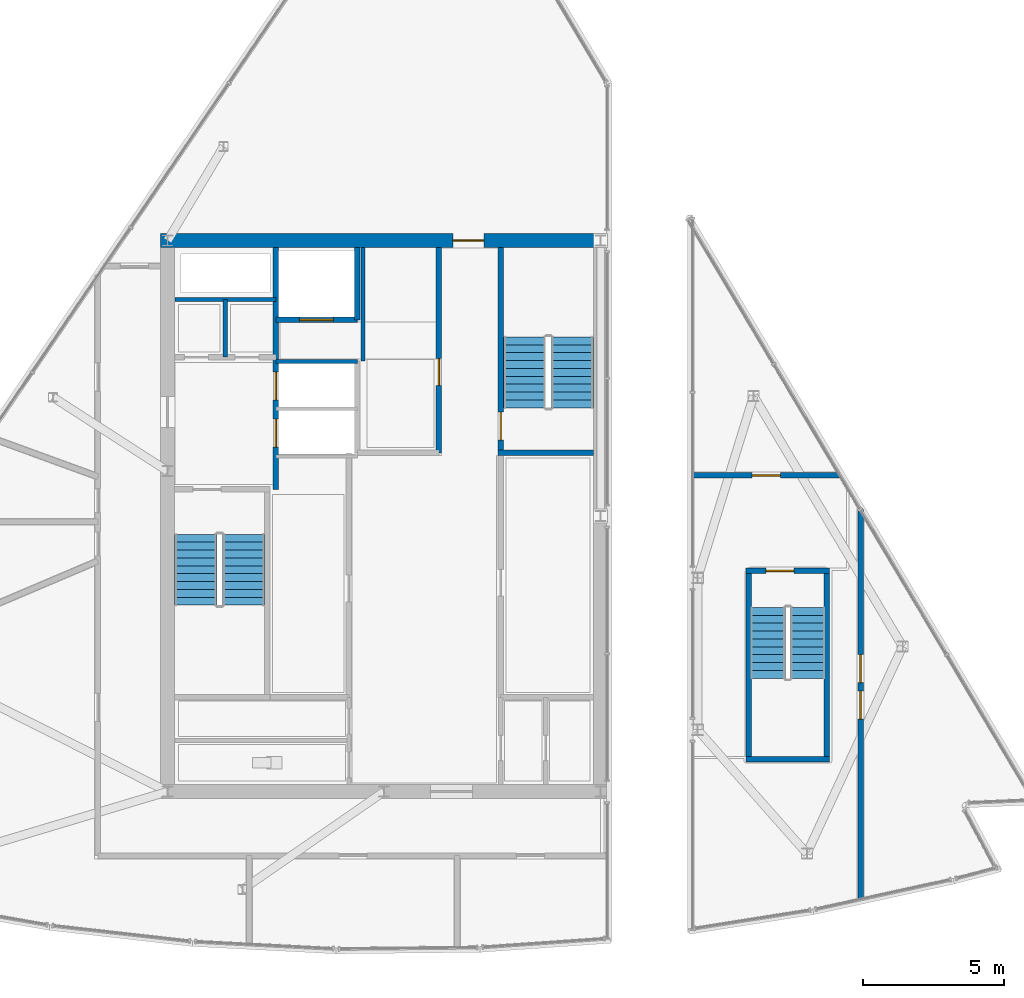
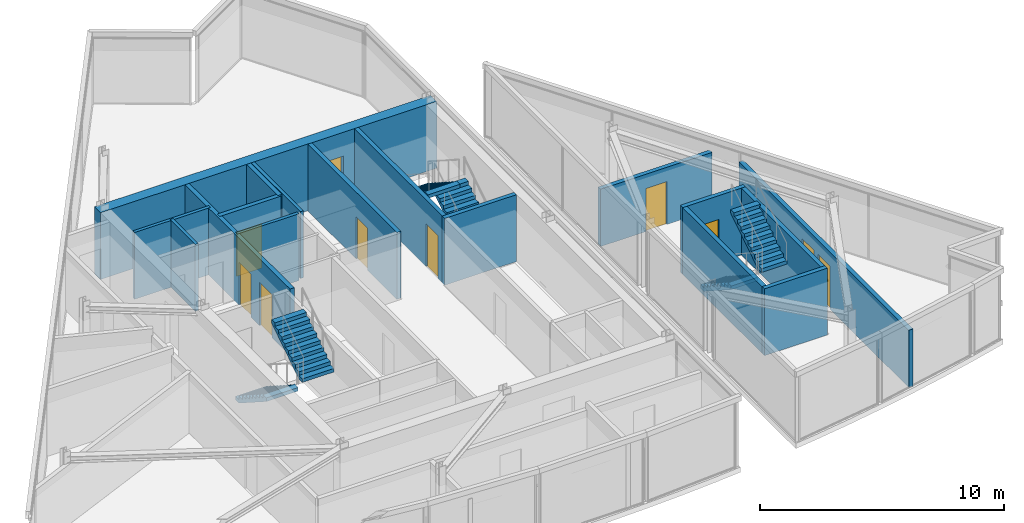
# One storey, part 10 of 15: 17 walls, 10 doors, 6 stair flights, 10 openings, 3 elements without a shape of their own.
"""IFC4 building model written with IfcOpenShell, lengths in metres."""

import ifcopenshell
import ifcopenshell.guid

model = None  # the IFC model being written
_history = None  # IfcOwnerHistory: only IFC2X3 demands one
_inside = {}  # id of a spatial element -> (the spatial element, [elements in it])
_under = {}  # id of a project, library or spatial element -> (it, [spatial elements below it])
_declared = {}  # id of a project -> (the project, [libraries it declares])
_typed = {}  # id of a type object -> (the type object, [elements of that type])
_made_of = {}  # id of a material, layer set ... -> (it, [elements and type objects made of it])


def new_model(schema):
    """Start an empty IFC model of exactly this schema.

    Asked for "IFC4X3", IfcOpenShell would pick the latest addendum, in which some entities
    have other attributes; the version numbers below select the first issue.
    IFC2X3 requires an IfcOwnerHistory on every rooted entity: one is made here for all.
    """
    global model, _history
    if schema == "IFC4X3":
        model = ifcopenshell.file(schema_version=(4, 3, 0, 0))
    else:
        model = ifcopenshell.file(schema=schema)
    _inside.clear()
    _under.clear()
    _declared.clear()
    _typed.clear()
    _made_of.clear()
    _history = None
    if model.schema == "IFC2X3":
        org = make("IfcOrganization", Name="unknown")
        user = make(
            "IfcPersonAndOrganization",
            ThePerson=make("IfcPerson", FamilyName="unknown"),
            TheOrganization=org,
        )
        app = make(
            "IfcApplication",
            ApplicationDeveloper=org,
            Version="unknown",
            ApplicationFullName="unknown",
            ApplicationIdentifier="unknown",
        )
        _history = make(
            "IfcOwnerHistory",
            OwningUser=user,
            OwningApplication=app,
            ChangeAction="ADDED",
            CreationDate=0,
        )
    return model


def make(cls, **values):
    """One entity of the class cls with the attributes given. An attribute that is None is left unset."""
    return model.create_entity(
        cls, **{name: value for name, value in values.items() if value is not None}
    )


def rooted(cls, **values):
    """An entity with a GlobalId (a new one), such as an element, a storey or a relation."""
    return make(cls, GlobalId=ifcopenshell.guid.new(), OwnerHistory=_history, **values)


def si_unit(unit_type, name, prefix=None):
    """IfcSIUnit, for example si_unit("LENGTHUNIT", "METRE", prefix="MILLI")."""
    return make("IfcSIUnit", UnitType=unit_type, Prefix=prefix, Name=name)


def assignment(units):
    """IfcUnitAssignment: the units of a project."""
    return None if units is None else make("IfcUnitAssignment", Units=units)


def point(xyz):
    """IfcCartesianPoint."""
    return None if xyz is None else make("IfcCartesianPoint", Coordinates=xyz)


def direction(xyz):
    """IfcDirection."""
    return None if xyz is None else make("IfcDirection", DirectionRatios=xyz)


def frame(location, z_axis=None, x_axis=None):
    """IfcAxis2Placement3D, a coordinate frame: its origin and axes. An axis left out is left unset."""
    return make(
        "IfcAxis2Placement3D",
        Location=point(location),
        Axis=direction(z_axis),
        RefDirection=direction(x_axis),
    )


def frame_2d(location, x_axis=None):
    """IfcAxis2Placement2D, a coordinate frame in the plane: its origin and x axis."""
    return make(
        "IfcAxis2Placement2D", Location=point(location), RefDirection=direction(x_axis)
    )


def origin():
    """The frame at (0, 0, 0) with its axes left unset."""
    return frame((0.0, 0.0, 0.0))


def place(relative_to, where):
    """IfcLocalPlacement: puts the frame where relative to a parent placement (None: the world)."""
    return make(
        "IfcLocalPlacement", PlacementRelTo=relative_to, RelativePlacement=where
    )


def context(
    kind, dimensions, precision=None, world=None, true_north=None, identifier=None
):
    """IfcGeometricRepresentationContext, for example the 3D "Model" context."""
    return make(
        "IfcGeometricRepresentationContext",
        ContextIdentifier=identifier,
        ContextType=kind,
        CoordinateSpaceDimension=dimensions,
        Precision=precision,
        WorldCoordinateSystem=world,
        TrueNorth=true_north,
    )


def subcontext(parent, identifier, kind, view, scale=None):
    """IfcGeometricRepresentationSubContext, for example "Body" below "Model"."""
    return make(
        "IfcGeometricRepresentationSubContext",
        ContextIdentifier=identifier,
        ContextType=kind,
        ParentContext=parent,
        TargetScale=scale,
        TargetView=view,
    )


def project(units=None, contexts=None):
    """IfcProject with its units and contexts."""
    return rooted(
        "IfcProject",
        Name="project",
        RepresentationContexts=contexts,
        UnitsInContext=assignment(units),
    )


def spatial(cls, under=None, at=None, **own):
    """A site, building, storey or space (cls), placed at a placement, below another one or the project."""
    s = rooted(cls, ObjectPlacement=at, **own)
    if under is not None:
        _under.setdefault(under.id(), (under, []))[1].append(s)
    return s


def polyline(points):
    """IfcPolyline through the points."""
    return make("IfcPolyline", Points=[point(p) for p in points])


def profile(cls, at=None, kind="AREA", **sizes):
    """A parametric profile (cls). Its sizes go by their IFC names, for example OverallWidth=200.0."""
    return make(cls, ProfileType=kind, Position=at, **sizes)


def rectangle(**sizes):
    """IfcRectangleProfileDef."""
    return profile("IfcRectangleProfileDef", **sizes)


def outline(outer, holes=None, kind="AREA"):
    """IfcArbitraryClosedProfileDef: a profile drawn as a closed curve; with holes, ...WithVoids."""
    if holes is None:
        return make("IfcArbitraryClosedProfileDef", ProfileType=kind, OuterCurve=outer)
    return make(
        "IfcArbitraryProfileDefWithVoids",
        ProfileType=kind,
        OuterCurve=outer,
        InnerCurves=holes,
    )


def extrude(swept, where, along, depth):
    """IfcExtrudedAreaSolid: the profile swept, set in the frame where, extruded along a direction by depth."""
    return make(
        "IfcExtrudedAreaSolid",
        SweptArea=swept,
        Position=where,
        ExtrudedDirection=direction(along),
        Depth=depth,
    )


def shape(context_of_items, identifier, shape_type, items):
    """IfcShapeRepresentation: the items that make up one representation, for example the "Body"."""
    return make(
        "IfcShapeRepresentation",
        ContextOfItems=context_of_items,
        RepresentationIdentifier=identifier,
        RepresentationType=shape_type,
        Items=items,
    )


def material(Name=None, Category=None):
    """IfcMaterial."""
    return make("IfcMaterial", Name=Name, Category=Category)


def layer(
    of_material, thickness, ventilated=None, Name=None, Category=None, Priority=None
):
    """IfcMaterialLayer: one layer of a wall or slab, of a material (None: an air gap)."""
    return make(
        "IfcMaterialLayer",
        Material=of_material,
        LayerThickness=thickness,
        IsVentilated=ventilated,
        Name=Name,
        Category=Category,
        Priority=Priority,
    )


def layer_set(layers, Name=None):
    """IfcMaterialLayerSet."""
    return make("IfcMaterialLayerSet", MaterialLayers=layers, LayerSetName=Name)


def made_of(thing, what):
    """Note that an element or type object is made of a material, layer set ...; save() writes the relation."""
    if what is not None:
        _made_of.setdefault(what.id(), (what, []))[1].append(thing)
    return thing


def type_object(cls, material=None, **own):
    """A type object (cls), such as IfcWallType, which elements share."""
    return made_of(rooted(cls, **own), material)


def element(
    cls,
    number,
    at=None,
    inside=None,
    cuts=None,
    type_object=None,
    material=None,
    context=None,
    identifier="Body",
    shape_type=None,
    held_by="IfcProductDefinitionShape",
    body=None,
    shapes=None,
    **own,
):
    """One element of the class cls, such as IfcWall. Its Tag is "e" and its number.

    at: its placement. inside: the storey or other place that contains it. cuts: it is an
    opening in that element (IfcRelVoidsElement). A single representation is given by context,
    identifier, shape_type and body (its items); several are given by shapes. held_by: the class
    of the entity that holds the representations. save() writes the other relations.
    """
    e = rooted(cls, Tag="e%d" % number, ObjectPlacement=at, **own)
    if body is not None:
        shapes = [shape(context, identifier, shape_type, body)]
    if shapes is not None:
        e.Representation = make(held_by, Representations=shapes)
    if inside is not None:
        _inside.setdefault(inside.id(), (inside, []))[1].append(e)
    if cuts is not None:
        rooted(
            "IfcRelVoidsElement", RelatingBuildingElement=cuts, RelatedOpeningElement=e
        )
    if type_object is not None:
        _typed.setdefault(type_object.id(), (type_object, []))[1].append(e)
    return made_of(e, material)


def fill(opening, filler):
    """IfcRelFillsElement: the door or window that sits in an opening."""
    return rooted(
        "IfcRelFillsElement",
        RelatingOpeningElement=opening,
        RelatedBuildingElement=filler,
    )


def aggregate(whole, parts):
    """IfcRelAggregates: a whole, such as a stair, and the parts it consists of."""
    return rooted("IfcRelAggregates", RelatingObject=whole, RelatedObjects=parts)


def save(model, path):
    """Write the relations noted so far, then the file.

    IfcRelAggregates (storeys below a building ...), IfcRelContainedInSpatialStructure (elements
    in a storey), IfcRelDefinesByType, IfcRelAssociatesMaterial and IfcRelDeclares: one each for
    every whole, place, type object, material and project.
    """
    for whole, parts in _under.values():
        aggregate(whole, parts)
    for where, things in _inside.values():
        rooted(
            "IfcRelContainedInSpatialStructure",
            RelatedElements=things,
            RelatingStructure=where,
        )
    for kind, things in _typed.values():
        rooted("IfcRelDefinesByType", RelatedObjects=things, RelatingType=kind)
    for what, things in _made_of.values():
        rooted("IfcRelAssociatesMaterial", RelatedObjects=things, RelatingMaterial=what)
    for by, libraries in _declared.values():
        rooted("IfcRelDeclares", RelatingContext=by, RelatedDefinitions=libraries)
    model.write(path)


model = new_model("IFC4")

# Units and contexts
model_context = context("Model", 3, precision=1e-05, world=origin(), true_north=direction((0.0, 1.0)))
body_context = subcontext(model_context, "Body", "Model", "MODEL_VIEW")
ifc_project = project(units=[si_unit("LENGTHUNIT", "METRE"), si_unit("AREAUNIT", "SQUARE_METRE"), si_unit("VOLUMEUNIT", "CUBIC_METRE"), si_unit("PLANEANGLEUNIT", "RADIAN"), si_unit("MASSUNIT", "GRAM", prefix="KILO")], contexts=[model_context])

# Site, building, storey
site_placement = place(None, origin())
site = spatial("IfcSite", under=ifc_project, at=site_placement, CompositionType="ELEMENT")
building_placement = place(site_placement, origin())
building = spatial("IfcBuilding", under=site, at=building_placement, Name="Savorim Split Tower", CompositionType="ELEMENT")
storey_placement = place(building_placement, frame((0.0, 0.0, 304.800048828125)))
storey = spatial("IfcBuildingStorey", under=building, at=storey_placement, Name="Crown L81 Plant", CompositionType="ELEMENT", Elevation=304.800048828125)

# Wall, opening, door
ifc_material_1 = material(Name="Concrete C60/75", Category="concrete")
ifc_layer_1 = layer(ifc_material_1, 0.5)
ifc_layer_set_1 = layer_set([ifc_layer_1], Name="WAL-COR-SH500")
wall_type_1 = type_object("IfcWallType", Name="WAL-COR-SH500", PredefinedType="SHEAR", material=ifc_layer_set_1)
wall_1_placement = place(storey_placement, frame((7.949951171875, 10.199951171875, 0.0), z_axis=(0.0, 0.0, 1.0), x_axis=(-1.0, 0.0, 0.0)))
wall_1 = element("IfcWall", 1, at=wall_1_placement, inside=storey, type_object=wall_type_1, Name="Crown L81 Plant Offset Core North Shear Wall", PredefinedType="SHEAR", context=body_context, shape_type="SweptSolid", body=[
    extrude(rectangle(XDim=15.89990234375, YDim=0.5, at=frame_2d((7.949951171875, 0.0))), origin(), (0.0, 0.0, 1.0), 3.33984375),
])
opening_1_placement = place(wall_1_placement, frame((4.39990234375, 0.0, 0.0)))
opening_1 = element("IfcOpeningElement", 2, at=opening_1_placement, cuts=wall_1, Name="Opening DI-03", PredefinedType="OPENING", context=body_context, shape_type="SweptSolid", body=[
    extrude(rectangle(XDim=1.10009765625, YDim=2.14990234375, at=frame_2d((0.550048828125, 1.074951171875))), frame((0.0, 0.260009765625, 0.0), z_axis=(0.0, -1.0, 0.0), x_axis=(1.0, 0.0, 0.0)), (0.0, 0.0, 1.0), 0.52001953125),
])
ifc_material_2 = material(Name="Timber Fire Door Leaf", Category="wood")
door_type_1 = type_object("IfcDoorType", Name="DOR-FIR-1100", OperationType="NOTDEFINED", PredefinedType="DOOR", material=ifc_material_2)
door_1_placement = place(opening_1_placement, origin())
door_1 = element("IfcDoor", 3, at=door_1_placement, inside=storey, type_object=door_type_1, Name="DOR-Crown-L81-Plant-COR-NLOB - Crown L81 Plant North Corridor Lobby Fire Door", OperationType="SINGLE_SWING_RIGHT", OverallHeight=2.14990234375, OverallWidth=1.10009765625, PredefinedType="DOOR", context=body_context, shape_type="SweptSolid", body=[
    extrude(rectangle(XDim=1.10009765625, YDim=2.14990234375, at=frame_2d((0.550048828125, 1.074951171875))), frame((0.0, 0.02490234375, 0.0), z_axis=(0.0, -1.0, 0.0), x_axis=(1.0, 0.0, 0.0)), (0.0, 0.0, 1.0), 0.050048828125),
])
fill(opening_1, door_1)

# Wall, openings, doors
ifc_material_3 = material(Name="Concrete C50/60", Category="concrete")
ifc_layer_2 = layer(ifc_material_3, 0.199951171875)
ifc_layer_set_2 = layer_set([ifc_layer_2], Name="WAL-INT-RC200")
wall_type_2 = type_object("IfcWallType", Name="WAL-INT-RC200", PredefinedType="SOLIDWALL", material=ifc_layer_set_2)
wall_2_placement = place(storey_placement, frame((-3.85009765625, 1.35009765625, 0.0), z_axis=(0.0, 0.0, 1.0), x_axis=(0.0, 1.0, 0.0)))
wall_2 = element("IfcWall", 4, at=wall_2_placement, inside=storey, type_object=wall_type_2, Name="Crown L81 Plant Partition W-Crown-L81-Plant-CR03", PredefinedType="SOLIDWALL", context=body_context, shape_type="SweptSolid", body=[
    extrude(rectangle(XDim=8.594970703125, YDim=0.199951171875, at=frame_2d((4.29736328125, 0.0))), origin(), (0.0, 0.0, 1.0), 3.33984375),
])
opening_2_placement = place(wall_2_placement, frame((1.5, 0.0, 0.0)))
opening_2 = element("IfcOpeningElement", 5, at=opening_2_placement, cuts=wall_2, Name="Opening LD-FFL", PredefinedType="OPENING", context=body_context, shape_type="SweptSolid", body=[
    extrude(rectangle(XDim=1.0, YDim=2.14990234375, at=frame_2d((0.5, 1.074951171875))), frame((0.0, 0.10986328125, 0.0), z_axis=(0.0, -1.0, 0.0), x_axis=(1.0, 0.0, 0.0)), (0.0, 0.0, 1.0), 0.219970703125),
])
opening_3_placement = place(wall_2_placement, frame((3.179931640625, 0.0, 0.0)))
opening_3 = element("IfcOpeningElement", 6, at=opening_3_placement, cuts=wall_2, Name="Opening LD-FFL", PredefinedType="OPENING", context=body_context, shape_type="SweptSolid", body=[
    extrude(rectangle(XDim=1.0, YDim=2.14990234375, at=frame_2d((0.5, 1.074951171875))), frame((0.0, 0.10986328125, 0.0), z_axis=(0.0, -1.0, 0.0), x_axis=(1.0, 0.0, 0.0)), (0.0, 0.0, 1.0), 0.219970703125),
])
ifc_material_4 = material(Name="Charcoal Anodised Aluminium", Category="aluminium")
door_type_2 = type_object("IfcDoorType", Name="DOR-SLD-LD1000", OperationType="NOTDEFINED", PredefinedType="DOOR", material=ifc_material_4)
door_2_placement = place(opening_2_placement, origin())
door_2 = element("IfcDoor", 7, at=door_2_placement, inside=storey, type_object=door_type_2, Name="DR-Crown-L81-Plant-LD-FFL1 - Crown L81 Plant Firefighting Lift FFL-1 Sliding Landing Door", OperationType="DOUBLE_DOOR_SLIDING", OverallHeight=2.14990234375, OverallWidth=1.0, PredefinedType="DOOR", context=body_context, shape_type="SweptSolid", body=[
    extrude(rectangle(XDim=1.0, YDim=2.14990234375, at=frame_2d((0.5, 1.074951171875))), frame((0.0, 0.02490234375, 0.0), z_axis=(0.0, -1.0, 0.0), x_axis=(1.0, 0.0, 0.0)), (0.0, 0.0, 1.0), 0.050048828125),
])
fill(opening_2, door_2)
door_3_placement = place(opening_3_placement, origin())
door_3 = element("IfcDoor", 8, at=door_3_placement, inside=storey, type_object=door_type_2, Name="DR-Crown-L81-Plant-LD-FFL2 - Crown L81 Plant Firefighting Lift FFL-2 Sliding Landing Door", OperationType="DOUBLE_DOOR_SLIDING", OverallHeight=2.14990234375, OverallWidth=1.0, PredefinedType="DOOR", context=body_context, shape_type="SweptSolid", body=[
    extrude(rectangle(XDim=1.0, YDim=2.14990234375, at=frame_2d((0.5, 1.074951171875))), frame((0.0, 0.02490234375, 0.0), z_axis=(0.0, -1.0, 0.0), x_axis=(1.0, 0.0, 0.0)), (0.0, 0.0, 1.0), 0.050048828125),
])
fill(opening_3, door_3)

# Wall, opening, door
wall_3_placement = place(storey_placement, frame((4.14990234375, 2.75, 0.0), z_axis=(0.0, 0.0, 1.0), x_axis=(0.0, 1.0, 0.0)))
wall_3 = element("IfcWall", 9, at=wall_3_placement, inside=storey, type_object=wall_type_2, Name="Crown L81 Plant Structural Shaft Wall W-Crown-L81-Plant-CR07", PredefinedType="SOLIDWALL", context=body_context, shape_type="SweptSolid", body=[
    extrude(rectangle(XDim=7.199951171875, YDim=0.199951171875, at=frame_2d((3.60009765625, 0.0))), origin(), (0.0, 0.0, 1.0), 3.33984375),
])
opening_4_placement = place(wall_3_placement, frame((0.35009765625, 0.0, 0.0)))
opening_4 = element("IfcOpeningElement", 10, at=opening_4_placement, cuts=wall_3, Name="Opening DI-04", PredefinedType="OPENING", context=body_context, shape_type="SweptSolid", body=[
    extrude(rectangle(XDim=1.0, YDim=2.14990234375, at=frame_2d((0.5, 1.074951171875))), frame((0.0, 0.10986328125, 0.0), z_axis=(0.0, -1.0, 0.0), x_axis=(1.0, 0.0, 0.0)), (0.0, 0.0, 1.0), 0.219970703125),
])
door_type_3 = type_object("IfcDoorType", Name="DOR-FIR-1000", OperationType="NOTDEFINED", PredefinedType="DOOR", material=ifc_material_2)
door_4_placement = place(opening_4_placement, origin())
door_4 = element("IfcDoor", 11, at=door_4_placement, inside=storey, type_object=door_type_3, Name="DR-Crown-L81-Plant-ST2 - Crown L81 Plant Stair ST-2 Enclosure Door", OperationType="SINGLE_SWING_RIGHT", OverallHeight=2.14990234375, OverallWidth=1.0, PredefinedType="DOOR", context=body_context, shape_type="SweptSolid", body=[
    extrude(rectangle(XDim=1.0, YDim=2.14990234375, at=frame_2d((0.5, 1.074951171875))), frame((0.0, 0.02490234375, 0.0), z_axis=(0.0, -1.0, 0.0), x_axis=(1.0, 0.0, 0.0)), (0.0, 0.0, 1.0), 0.050048828125),
])
fill(opening_4, door_4)

# Wall
wall_4_placement = place(storey_placement, frame((4.050048828125, 2.64990234375, 0.0), z_axis=(0.0, 0.0, 1.0), x_axis=(1.0, 0.0, 0.0)))
element("IfcWall", 12, at=wall_4_placement, inside=storey, type_object=wall_type_2, Name="Crown L81 Plant Structural Shaft Wall W-Crown-L81-Plant-CR08", PredefinedType="SOLIDWALL", context=body_context, shape_type="SweptSolid", body=[
    extrude(rectangle(XDim=3.39990234375, YDim=0.199951171875, at=frame_2d((1.699951171875, 0.0))), origin(), (0.0, 0.0, 1.0), 3.33984375),
])

# Wall, opening, door
wall_5_placement = place(storey_placement, frame((-3.85009765625, 7.3798828125, 0.0), z_axis=(0.0, 0.0, 1.0), x_axis=(1.0, 0.0, 0.0)))
wall_5 = element("IfcWall", 13, at=wall_5_placement, inside=storey, type_object=wall_type_2, Name="Crown L81 Plant Partition W-Crown-L81-Plant-SVLS", PredefinedType="SOLIDWALL", context=body_context, shape_type="SweptSolid", body=[
    extrude(rectangle(XDim=2.900146484375, YDim=0.199951171875, at=frame_2d((1.4501953125, 0.0))), origin(), (0.0, 0.0, 1.0), 3.33984375),
])
opening_5_placement = place(wall_5_placement, frame((0.85009765625, 0.0, 0.0)))
opening_5 = element("IfcOpeningElement", 14, at=opening_5_placement, cuts=wall_5, Name="Opening LD-SV", PredefinedType="OPENING", context=body_context, shape_type="SweptSolid", body=[
    extrude(rectangle(XDim=1.199951171875, YDim=2.199951171875, at=frame_2d((0.60009765625, 1.10009765625))), frame((0.0, 0.10986328125, 0.0), z_axis=(0.0, -1.0, 0.0), x_axis=(1.0, 0.0, 0.0)), (0.0, 0.0, 1.0), 0.219970703125),
])
door_type_4 = type_object("IfcDoorType", Name="DOR-SLD-SV1200", OperationType="NOTDEFINED", PredefinedType="DOOR", material=ifc_material_4)
door_5_placement = place(opening_5_placement, origin())
door_5 = element("IfcDoor", 15, at=door_5_placement, inside=storey, type_object=door_type_4, Name="DR-Crown-L81-Plant-LD-SVL1 - Crown L81 Plant Service Lift SVL-1 Sliding Landing Door", OperationType="DOUBLE_DOOR_SLIDING", OverallHeight=2.199951171875, OverallWidth=1.199951171875, PredefinedType="DOOR", context=body_context, shape_type="SweptSolid", body=[
    extrude(rectangle(XDim=1.199951171875, YDim=2.199951171875, at=frame_2d((0.60009765625, 1.10009765625))), frame((0.0, 0.02490234375, 0.0), z_axis=(0.0, -1.0, 0.0), x_axis=(1.0, 0.0, 0.0)), (0.0, 0.0, 1.0), 0.050048828125),
])
fill(opening_5, door_5)

# Wall
wall_6_placement = place(storey_placement, frame((-0.949951171875, 7.3798828125, 0.0), z_axis=(0.0, 0.0, 1.0), x_axis=(0.0, 1.0, 0.0)))
element("IfcWall", 16, at=wall_6_placement, inside=storey, type_object=wall_type_2, Name="Crown L81 Plant Partition W-Crown-L81-Plant-SVLE", PredefinedType="SOLIDWALL", context=body_context, shape_type="SweptSolid", body=[
    extrude(rectangle(XDim=2.565185546875, YDim=0.199951171875, at=frame_2d((1.28271484375, 0.0))), origin(), (0.0, 0.0, 1.0), 3.33984375),
])

# Wall, opening, door
wall_7_placement = place(storey_placement, frame((1.949951171875, 2.64990234375, 0.0), z_axis=(0.0, 0.0, 1.0), x_axis=(0.0, 1.0, 0.0)))
wall_7 = element("IfcWall", 17, at=wall_7_placement, inside=storey, type_object=wall_type_2, Name="Crown L81 Plant Partition W-Crown-L81-Plant-B3FRONT", PredefinedType="SOLIDWALL", context=body_context, shape_type="SweptSolid", body=[
    extrude(rectangle(XDim=7.295166015625, YDim=0.199951171875, at=frame_2d((3.6474609375, 0.0))), origin(), (0.0, 0.0, 1.0), 3.33984375),
])
opening_6_placement = place(wall_7_placement, frame((2.39990234375, 0.0, 0.0)))
opening_6 = element("IfcOpeningElement", 18, at=opening_6_placement, cuts=wall_7, Name="Opening DI-05", PredefinedType="OPENING", context=body_context, shape_type="SweptSolid", body=[
    extrude(rectangle(XDim=0.949951171875, YDim=2.10009765625, at=frame_2d((0.47509765625, 1.050048828125))), frame((0.0, 0.10986328125, 0.0), z_axis=(0.0, -1.0, 0.0), x_axis=(1.0, 0.0, 0.0)), (0.0, 0.0, 1.0), 0.219970703125),
])
door_type_5 = type_object("IfcDoorType", Name="DOR-FIR-950", OperationType="NOTDEFINED", PredefinedType="DOOR", material=ifc_material_2)
door_6_placement = place(opening_6_placement, origin())
door_6 = element("IfcDoor", 19, at=door_6_placement, inside=storey, type_object=door_type_5, Name="DR-Crown-L81-Plant-B3CRN - Crown L81 Plant Crown BMS Plant Room Door", OperationType="SINGLE_SWING_LEFT", OverallHeight=2.10009765625, OverallWidth=0.949951171875, PredefinedType="DOOR", context=body_context, shape_type="SweptSolid", body=[
    extrude(rectangle(XDim=0.949951171875, YDim=2.10009765625, at=frame_2d((0.47509765625, 1.050048828125))), frame((0.0, 0.02490234375, 0.0), z_axis=(0.0, -1.0, 0.0), x_axis=(1.0, 0.0, 0.0)), (0.0, 0.0, 1.0), 0.050048828125),
])
fill(opening_6, door_6)

# Wall
wall_8_placement = place(storey_placement, frame((12.8798828125, -8.25, 0.0), z_axis=(0.0, 0.0, 1.0), x_axis=(1.0, 0.0, 0.0)))
element("IfcWall", 20, at=wall_8_placement, inside=storey, type_object=wall_type_2, Name="Crown L81 Plant Structural Shaft Wall W-Crown-L81-Plant-STCES", PredefinedType="SOLIDWALL", context=body_context, shape_type="SweptSolid", body=[
    extrude(rectangle(XDim=2.97021484375, YDim=0.199951171875, at=frame_2d((1.485107421875, 0.0))), origin(), (0.0, 0.0, 1.0), 3.33984375),
])

# Wall, opening, door
wall_9_placement = place(storey_placement, frame((12.8798828125, -1.550048828125, 0.0), z_axis=(0.0, 0.0, 1.0), x_axis=(1.0, 0.0, 0.0)))
wall_9 = element("IfcWall", 21, at=wall_9_placement, inside=storey, type_object=wall_type_2, Name="Crown L81 Plant Structural Shaft Wall W-Crown-L81-Plant-STCEN", PredefinedType="SOLIDWALL", context=body_context, shape_type="SweptSolid", body=[
    extrude(rectangle(XDim=2.97021484375, YDim=0.199951171875, at=frame_2d((1.485107421875, 0.0))), origin(), (0.0, 0.0, 1.0), 3.33984375),
])
opening_7_placement = place(wall_9_placement, frame((0.699951171875, 0.0, 0.0)))
opening_7 = element("IfcOpeningElement", 22, at=opening_7_placement, cuts=wall_9, Name="Opening DI-04", PredefinedType="OPENING", context=body_context, shape_type="SweptSolid", body=[
    extrude(rectangle(XDim=1.0, YDim=2.14990234375, at=frame_2d((0.5, 1.074951171875))), frame((0.0, 0.10986328125, 0.0), z_axis=(0.0, -1.0, 0.0), x_axis=(1.0, 0.0, 0.0)), (0.0, 0.0, 1.0), 0.219970703125),
])
door_7_placement = place(opening_7_placement, origin())
door_7 = element("IfcDoor", 23, at=door_7_placement, inside=storey, type_object=door_type_3, Name="DR-Crown-L81-Plant-STCE - Crown L81 Plant East Crown Stair Door", OperationType="SINGLE_SWING_RIGHT", OverallHeight=2.14990234375, OverallWidth=1.0, PredefinedType="DOOR", context=body_context, shape_type="SweptSolid", body=[
    extrude(rectangle(XDim=1.0, YDim=2.14990234375, at=frame_2d((0.5, 1.074951171875))), frame((0.0, 0.02490234375, 0.0), z_axis=(0.0, -1.0, 0.0), x_axis=(1.0, 0.0, 0.0)), (0.0, 0.0, 1.0), 0.050048828125),
])
fill(opening_7, door_7)

# Walls
for number, where, z_axis, x_axis, name in (
    (24, (12.969970703125, -8.14990234375, 0.0), (0.0, 0.0, 1.0), (0.0, 1.0, 0.0), "Crown L81 Plant Structural Shaft Wall W-Crown-L81-Plant-STCEW"),
    (25, (15.75, -8.14990234375, 0.0), (0.0, 0.0, 1.0), (0.0, 1.0, 0.0), "Crown L81 Plant Structural Shaft Wall W-Crown-L81-Plant-STCEE"),
):
    element("IfcWall", number, at=place(storey_placement, frame(where, z_axis=z_axis, x_axis=x_axis)), inside=storey, type_object=wall_type_2, Name=name, PredefinedType="SOLIDWALL", context=body_context, shape_type="SweptSolid", body=[
        extrude(rectangle(XDim=6.5, YDim=0.199951171875, at=frame_2d((3.25, 0.0))), origin(), (0.0, 0.0, 1.0), 3.33984375),
    ])

# Wall, openings, doors
wall_10_placement = place(storey_placement, frame((16.949951171875, -13.275634765625, 0.0), z_axis=(0.0, 0.0, 1.0), x_axis=(0.0, 1.0, 0.0)))
wall_10 = element("IfcWall", 26, at=wall_10_placement, inside=storey, type_object=wall_type_2, Name="Crown L81 Plant Partition W-Crown-L81-Plant-ECE", PredefinedType="SOLIDWALL", context=body_context, shape_type="SweptSolid", body=[
    extrude(rectangle(XDim=13.905517578125, YDim=0.199951171875, at=frame_2d((6.95263671875, 0.0))), origin(), (0.0, 0.0, 1.0), 2.864990234375),
])
opening_8_placement = place(wall_10_placement, frame((6.45263671875, 0.0, 0.0)))
opening_8 = element("IfcOpeningElement", 27, at=opening_8_placement, cuts=wall_10, Name="Opening DI-04", PredefinedType="OPENING", context=body_context, shape_type="SweptSolid", body=[
    extrude(rectangle(XDim=1.0, YDim=2.14990234375, at=frame_2d((0.5, 1.074951171875))), frame((0.0, 0.10986328125, 0.0), z_axis=(0.0, -1.0, 0.0), x_axis=(1.0, 0.0, 0.0)), (0.0, 0.0, 1.0), 0.219970703125),
])
opening_9_placement = place(wall_10_placement, frame((7.748779296875, 0.0, 0.0)))
opening_9 = element("IfcOpeningElement", 28, at=opening_9_placement, cuts=wall_10, Name="Opening DI-04", PredefinedType="OPENING", context=body_context, shape_type="SweptSolid", body=[
    extrude(rectangle(XDim=1.0, YDim=2.14990234375, at=frame_2d((0.5, 1.074951171875))), frame((0.0, 0.10986328125, 0.0), z_axis=(0.0, -1.0, 0.0), x_axis=(1.0, 0.0, 0.0)), (0.0, 0.0, 1.0), 0.219970703125),
])
door_8_placement = place(opening_8_placement, origin())
door_8 = element("IfcDoor", 29, at=door_8_placement, inside=storey, type_object=door_type_3, Name="DR-Crown-L81-Plant-ERM01 - Crown L81 Plant East Cooling Plant Room Entry Door", OperationType="SINGLE_SWING_RIGHT", OverallHeight=2.14990234375, OverallWidth=1.0, PredefinedType="DOOR", context=body_context, shape_type="SweptSolid", body=[
    extrude(rectangle(XDim=1.0, YDim=2.14990234375, at=frame_2d((0.5, 1.074951171875))), frame((0.0, 0.02490234375, 0.0), z_axis=(0.0, -1.0, 0.0), x_axis=(1.0, 0.0, 0.0)), (0.0, 0.0, 1.0), 0.050048828125),
])
fill(opening_8, door_8)
door_9_placement = place(opening_9_placement, origin())
door_9 = element("IfcDoor", 30, at=door_9_placement, inside=storey, type_object=door_type_3, Name="DR-Crown-L81-Plant-ERM02 - Crown L81 Plant East Heat Recovery AHU Plant Room Entry Door", OperationType="SINGLE_SWING_LEFT", OverallHeight=2.14990234375, OverallWidth=1.0, PredefinedType="DOOR", context=body_context, shape_type="SweptSolid", body=[
    extrude(rectangle(XDim=1.0, YDim=2.14990234375, at=frame_2d((0.5, 1.074951171875))), frame((0.0, 0.02490234375, 0.0), z_axis=(0.0, -1.0, 0.0), x_axis=(1.0, 0.0, 0.0)), (0.0, 0.0, 1.0), 0.050048828125),
])
fill(opening_9, door_9)

# Wall, opening, door
wall_11_placement = place(storey_placement, frame((10.9599609375, 1.85009765625, 0.0), z_axis=(0.0, 0.0, 1.0), x_axis=(1.0, 0.0, 0.0)))
wall_11 = element("IfcWall", 31, at=wall_11_placement, inside=storey, type_object=wall_type_2, Name="Crown L81 Plant Partition W-Crown-L81-Plant-ECN", PredefinedType="SOLIDWALL", context=body_context, shape_type="SweptSolid", body=[
    extrude(rectangle(XDim=5.264404296875, YDim=0.199951171875, at=frame_2d((2.63232421875, 0.0))), origin(), (0.0, 0.0, 1.0), 2.864990234375),
])
opening_10_placement = place(wall_11_placement, frame((2.132080078125, 0.0, 0.0)))
opening_10 = element("IfcOpeningElement", 32, at=opening_10_placement, cuts=wall_11, Name="Opening DI-04", PredefinedType="OPENING", context=body_context, shape_type="SweptSolid", body=[
    extrude(rectangle(XDim=1.0, YDim=2.14990234375, at=frame_2d((0.5, 1.074951171875))), frame((0.0, 0.10986328125, 0.0), z_axis=(0.0, -1.0, 0.0), x_axis=(1.0, 0.0, 0.0)), (0.0, 0.0, 1.0), 0.219970703125),
])
door_10_placement = place(opening_10_placement, origin())
door_10 = element("IfcDoor", 33, at=door_10_placement, inside=storey, type_object=door_type_3, Name="DR-Crown-L81-Plant-ERM03 - Crown L81 Plant East Cooling Plant Room Entry Door", OperationType="SINGLE_SWING_RIGHT", OverallHeight=2.14990234375, OverallWidth=1.0, PredefinedType="DOOR", context=body_context, shape_type="SweptSolid", body=[
    extrude(rectangle(XDim=1.0, YDim=2.14990234375, at=frame_2d((0.5, 1.074951171875))), frame((0.0, 0.02490234375, 0.0), z_axis=(0.0, -1.0, 0.0), x_axis=(1.0, 0.0, 0.0)), (0.0, 0.0, 1.0), 0.050048828125),
])
fill(opening_10, door_10)

# Walls
ifc_material_5 = material(Name="Acoustic Gypsum Partition Board")
ifc_layer_3 = layer(ifc_material_5, 0.14990234375)
ifc_layer_set_3 = layer_set([ifc_layer_3], Name="WAL-PAR-150")
wall_type_3 = type_object("IfcWallType", Name="WAL-PAR-150", PredefinedType="PARTITIONING", material=ifc_layer_set_3)
wall_12_placement = place(storey_placement, frame((-7.445068359375, 8.10009765625, 0.0), z_axis=(0.0, 0.0, 1.0), x_axis=(1.0, 0.0, 0.0)))
element("IfcWall", 34, at=wall_12_placement, inside=storey, type_object=wall_type_3, Name="Crown L81 Plant Partition W-Crown-L81-Plant-CR05", PredefinedType="PARTITIONING", context=body_context, shape_type="SweptSolid", body=[
    extrude(rectangle(XDim=3.594970703125, YDim=0.14990234375, at=frame_2d((1.79736328125, 0.0))), origin(), (0.0, 0.0, 1.0), 3.33984375),
])
wall_13_placement = place(storey_placement, frame((-5.64990234375, 6.050048828125, 0.0), z_axis=(0.0, 0.0, 1.0), x_axis=(0.0, 1.0, 0.0)))
element("IfcWall", 35, at=wall_13_placement, inside=storey, type_object=wall_type_3, Name="Crown L81 Plant Partition W-Crown-L81-Plant-CR06", PredefinedType="PARTITIONING", context=body_context, shape_type="SweptSolid", body=[
    extrude(rectangle(XDim=2.050048828125, YDim=0.14990234375, at=frame_2d((1.02490234375, 0.0))), origin(), (0.0, 0.0, 1.0), 3.33984375),
])
wall_14_placement = place(storey_placement, frame((-3.85009765625, 5.89990234375, 0.0), z_axis=(0.0, 0.0, 1.0), x_axis=(1.0, 0.0, 0.0)))
element("IfcWall", 36, at=wall_14_placement, inside=storey, type_object=wall_type_3, Name="Crown L81 Plant Partition W-Crown-L81-Plant-FFLD2", PredefinedType="PARTITIONING", context=body_context, shape_type="SweptSolid", body=[
    extrude(rectangle(XDim=2.900146484375, YDim=0.14990234375, at=frame_2d((1.4501953125, 0.0))), origin(), (0.0, 0.0, 1.0), 3.33984375),
])
wall_15_placement = place(storey_placement, frame((-0.75, 5.919921875, 0.0), z_axis=(0.0, 0.0, 1.0), x_axis=(0.0, 1.0, 0.0)))
element("IfcWall", 37, at=wall_15_placement, inside=storey, type_object=wall_type_3, Name="Crown L81 Plant Partition W-Crown-L81-Plant-B3WEST", PredefinedType="PARTITIONING", context=body_context, shape_type="SweptSolid", body=[
    extrude(rectangle(XDim=4.025146484375, YDim=0.14990234375, at=frame_2d((2.0126953125, 0.0))), origin(), (0.0, 0.0, 1.0), 3.33984375),
])

# Stair, stair flights
stair_type_1 = type_object("IfcStairType", Name="STR-CRN-3600", PredefinedType="HALF_TURN_STAIR", material=ifc_material_3)
stair_1_placement = place(storey_placement, origin())
stair_1 = element("IfcStair", 38, at=stair_1_placement, inside=storey, type_object=stair_type_1, Name="Crown L81 Plant East Crown Peak Internal Plant Stair ST-CRN-E", PredefinedType="HALF_TURN_STAIR")
stair_flight_type_1 = type_object("IfcStairFlightType", Name="SFL-CRN-3600", PredefinedType="STRAIGHT", material=ifc_material_3)
stair_flight_1_placement = place(storey_placement, frame((13.64501953125, -2.85009765625, 0.0), z_axis=(0.0, 0.0, 1.0), x_axis=(0.0, -1.0, 0.0)))
stair_flight_1 = element("IfcStairFlight", 39, at=stair_flight_1_placement, type_object=stair_flight_type_1, Name="ST-CRN-E flight 1", NumberOfRisers=10, NumberOfTreads=9, PredefinedType="STRAIGHT", RiserHeight=0.18, TreadLength=0.28, context=body_context, shape_type="SweptSolid", body=[
    extrude(outline(polyline([(0.0, 0.0), (0.0, 0.179931640625), (0.280029296875, 0.179931640625), (0.280029296875, 0.360107421875), (0.56005859375, 0.360107421875), (0.56005859375, 0.5400390625), (0.840087890625, 0.5400390625), (0.840087890625, 0.719970703125), (1.1201171875, 0.719970703125), (1.1201171875, 0.89990234375), (1.39990234375, 0.89990234375), (1.39990234375, 1.080078125), (1.679931640625, 1.080078125), (1.679931640625, 1.260009765625), (1.9599609375, 1.260009765625), (1.9599609375, 1.43994140625), (2.239990234375, 1.43994140625), (2.239990234375, 1.6201171875), (2.52001953125, 1.6201171875), (2.52001953125, 1.800048828125), (2.52001953125, 1.44189453125), (0.277099609375, 0.0), (0.0, 0.0)])), frame((0.0, 0.625, 0.0), z_axis=(0.0, -1.0, 0.0), x_axis=(1.0, 0.0, 0.0)), (0.0, 0.0, 1.0), 1.25),
])
stair_flight_2_placement = place(storey_placement, frame((15.074951171875, -5.3701171875, 1.800048828125), z_axis=(0.0, 0.0, 1.0), x_axis=(0.0, 1.0, 0.0)))
stair_flight_2 = element("IfcStairFlight", 40, at=stair_flight_2_placement, type_object=stair_flight_type_1, Name="ST-CRN-E flight 2", NumberOfRisers=10, NumberOfTreads=9, PredefinedType="STRAIGHT", RiserHeight=0.18, TreadLength=0.28, context=body_context, shape_type="SweptSolid", body=[
    extrude(outline(polyline([(0.0, 0.0), (0.0, 0.179931640625), (0.280029296875, 0.179931640625), (0.280029296875, 0.360107421875), (0.56005859375, 0.360107421875), (0.56005859375, 0.5400390625), (0.840087890625, 0.5400390625), (0.840087890625, 0.719970703125), (1.1201171875, 0.719970703125), (1.1201171875, 0.89990234375), (1.39990234375, 0.89990234375), (1.39990234375, 1.080078125), (1.679931640625, 1.080078125), (1.679931640625, 1.260009765625), (1.9599609375, 1.260009765625), (1.9599609375, 1.43994140625), (2.239990234375, 1.43994140625), (2.239990234375, 1.6201171875), (2.52001953125, 1.6201171875), (2.52001953125, 1.800048828125), (2.52001953125, 1.44189453125), (0.277099609375, 0.0), (0.0, 0.0)])), frame((0.0, 0.625, 0.0), z_axis=(0.0, -1.0, 0.0), x_axis=(1.0, 0.0, 0.0)), (0.0, 0.0, 1.0), 1.25),
])
aggregate(stair_1, [stair_flight_1, stair_flight_2])

stair_type_2 = type_object("IfcStairType", Name="STR-DOG-3600", PredefinedType="HALF_TURN_STAIR", material=ifc_material_3)
stair_2_placement = place(storey_placement, origin())
stair_2 = element("IfcStair", 41, at=stair_2_placement, inside=storey, type_object=stair_type_2, Name="Crown L81 Plant Core Protected Exit Stair ST-1", PredefinedType="HALF_TURN_STAIR")
stair_flight_type_2 = type_object("IfcStairFlightType", Name="SFL-DOG-3600", PredefinedType="STRAIGHT", material=ifc_material_3)
stair_flight_3_placement = place(storey_placement, frame((-6.699951171875, -0.25, 0.0), z_axis=(0.0, 0.0, 1.0), x_axis=(0.0, -1.0, 0.0)))
stair_flight_3 = element("IfcStairFlight", 42, at=stair_flight_3_placement, type_object=stair_flight_type_2, Name="ST-1 flight 1", NumberOfRisers=10, NumberOfTreads=9, PredefinedType="STRAIGHT", RiserHeight=0.18, TreadLength=0.28, context=body_context, shape_type="SweptSolid", body=[
    extrude(outline(polyline([(0.0, 0.0), (0.0, 0.179931640625), (0.280029296875, 0.179931640625), (0.280029296875, 0.360107421875), (0.56005859375, 0.360107421875), (0.56005859375, 0.5400390625), (0.840087890625, 0.5400390625), (0.840087890625, 0.719970703125), (1.1201171875, 0.719970703125), (1.1201171875, 0.89990234375), (1.39990234375, 0.89990234375), (1.39990234375, 1.080078125), (1.679931640625, 1.080078125), (1.679931640625, 1.260009765625), (1.9599609375, 1.260009765625), (1.9599609375, 1.43994140625), (2.239990234375, 1.43994140625), (2.239990234375, 1.6201171875), (2.52001953125, 1.6201171875), (2.52001953125, 1.800048828125), (2.52001953125, 1.44189453125), (0.277099609375, 0.0), (0.0, 0.0)])), frame((0.0, 0.75, 0.0), z_axis=(0.0, -1.0, 0.0), x_axis=(1.0, 0.0, 0.0)), (0.0, 0.0, 1.0), 1.5),
])
stair_flight_4_placement = place(storey_placement, frame((-5.0, -2.77001953125, 1.800048828125), z_axis=(0.0, 0.0, 1.0), x_axis=(0.0, 1.0, 0.0)))
stair_flight_4 = element("IfcStairFlight", 43, at=stair_flight_4_placement, type_object=stair_flight_type_2, Name="ST-1 flight 2", NumberOfRisers=10, NumberOfTreads=9, PredefinedType="STRAIGHT", RiserHeight=0.18, TreadLength=0.28, context=body_context, shape_type="SweptSolid", body=[
    extrude(outline(polyline([(0.0, 0.0), (0.0, 0.179931640625), (0.280029296875, 0.179931640625), (0.280029296875, 0.360107421875), (0.56005859375, 0.360107421875), (0.56005859375, 0.5400390625), (0.840087890625, 0.5400390625), (0.840087890625, 0.719970703125), (1.1201171875, 0.719970703125), (1.1201171875, 0.89990234375), (1.39990234375, 0.89990234375), (1.39990234375, 1.080078125), (1.679931640625, 1.080078125), (1.679931640625, 1.260009765625), (1.9599609375, 1.260009765625), (1.9599609375, 1.43994140625), (2.239990234375, 1.43994140625), (2.239990234375, 1.6201171875), (2.52001953125, 1.6201171875), (2.52001953125, 1.800048828125), (2.52001953125, 1.44189453125), (0.277099609375, 0.0), (0.0, 0.0)])), frame((0.0, 0.75, 0.0), z_axis=(0.0, -1.0, 0.0), x_axis=(1.0, 0.0, 0.0)), (0.0, 0.0, 1.0), 1.5),
])
aggregate(stair_2, [stair_flight_3, stair_flight_4])

stair_3_placement = place(storey_placement, origin())
stair_3 = element("IfcStair", 44, at=stair_3_placement, inside=storey, type_object=stair_type_2, Name="Crown L81 Plant Core Protected Exit Stair ST-2", PredefinedType="HALF_TURN_STAIR")
stair_flight_5_placement = place(storey_placement, frame((6.699951171875, 4.25, 0.0), z_axis=(0.0, 0.0, 1.0), x_axis=(0.0, 1.0, 0.0)))
stair_flight_5 = element("IfcStairFlight", 45, at=stair_flight_5_placement, type_object=stair_flight_type_2, Name="ST-2 flight 1", NumberOfRisers=10, NumberOfTreads=9, PredefinedType="STRAIGHT", RiserHeight=0.18, TreadLength=0.28, context=body_context, shape_type="SweptSolid", body=[
    extrude(outline(polyline([(0.0, 0.0), (0.0, 0.179931640625), (0.280029296875, 0.179931640625), (0.280029296875, 0.360107421875), (0.56005859375, 0.360107421875), (0.56005859375, 0.5400390625), (0.840087890625, 0.5400390625), (0.840087890625, 0.719970703125), (1.1201171875, 0.719970703125), (1.1201171875, 0.89990234375), (1.39990234375, 0.89990234375), (1.39990234375, 1.080078125), (1.679931640625, 1.080078125), (1.679931640625, 1.260009765625), (1.9599609375, 1.260009765625), (1.9599609375, 1.43994140625), (2.239990234375, 1.43994140625), (2.239990234375, 1.6201171875), (2.52001953125, 1.6201171875), (2.52001953125, 1.800048828125), (2.52001953125, 1.44189453125), (0.277099609375, 0.0), (0.0, 0.0)])), frame((0.0, 0.75, 0.0), z_axis=(0.0, -1.0, 0.0), x_axis=(1.0, 0.0, 0.0)), (0.0, 0.0, 1.0), 1.5),
])
stair_flight_6_placement = place(storey_placement, frame((5.0, 6.77001953125, 1.800048828125), z_axis=(0.0, 0.0, 1.0), x_axis=(0.0, -1.0, 0.0)))
stair_flight_6 = element("IfcStairFlight", 46, at=stair_flight_6_placement, type_object=stair_flight_type_2, Name="ST-2 flight 2", NumberOfRisers=10, NumberOfTreads=9, PredefinedType="STRAIGHT", RiserHeight=0.18, TreadLength=0.28, context=body_context, shape_type="SweptSolid", body=[
    extrude(outline(polyline([(0.0, 0.0), (0.0, 0.179931640625), (0.280029296875, 0.179931640625), (0.280029296875, 0.360107421875), (0.56005859375, 0.360107421875), (0.56005859375, 0.5400390625), (0.840087890625, 0.5400390625), (0.840087890625, 0.719970703125), (1.1201171875, 0.719970703125), (1.1201171875, 0.89990234375), (1.39990234375, 0.89990234375), (1.39990234375, 1.080078125), (1.679931640625, 1.080078125), (1.679931640625, 1.260009765625), (1.9599609375, 1.260009765625), (1.9599609375, 1.43994140625), (2.239990234375, 1.43994140625), (2.239990234375, 1.6201171875), (2.52001953125, 1.6201171875), (2.52001953125, 1.800048828125), (2.52001953125, 1.44189453125), (0.277099609375, 0.0), (0.0, 0.0)])), frame((0.0, 0.75, 0.0), z_axis=(0.0, -1.0, 0.0), x_axis=(1.0, 0.0, 0.0)), (0.0, 0.0, 1.0), 1.5),
])
aggregate(stair_3, [stair_flight_5, stair_flight_6])

save(model, "model.ifc")
